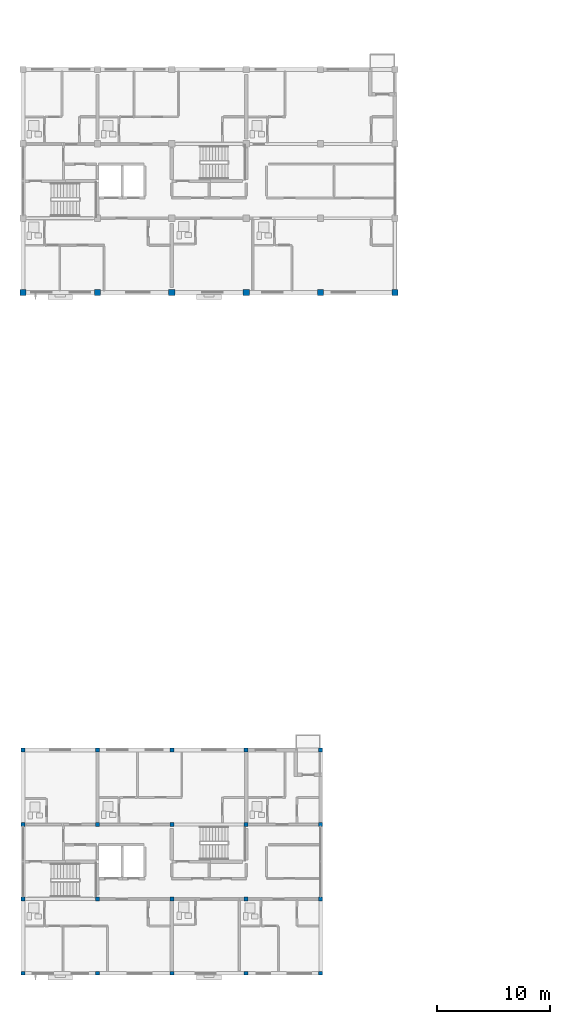
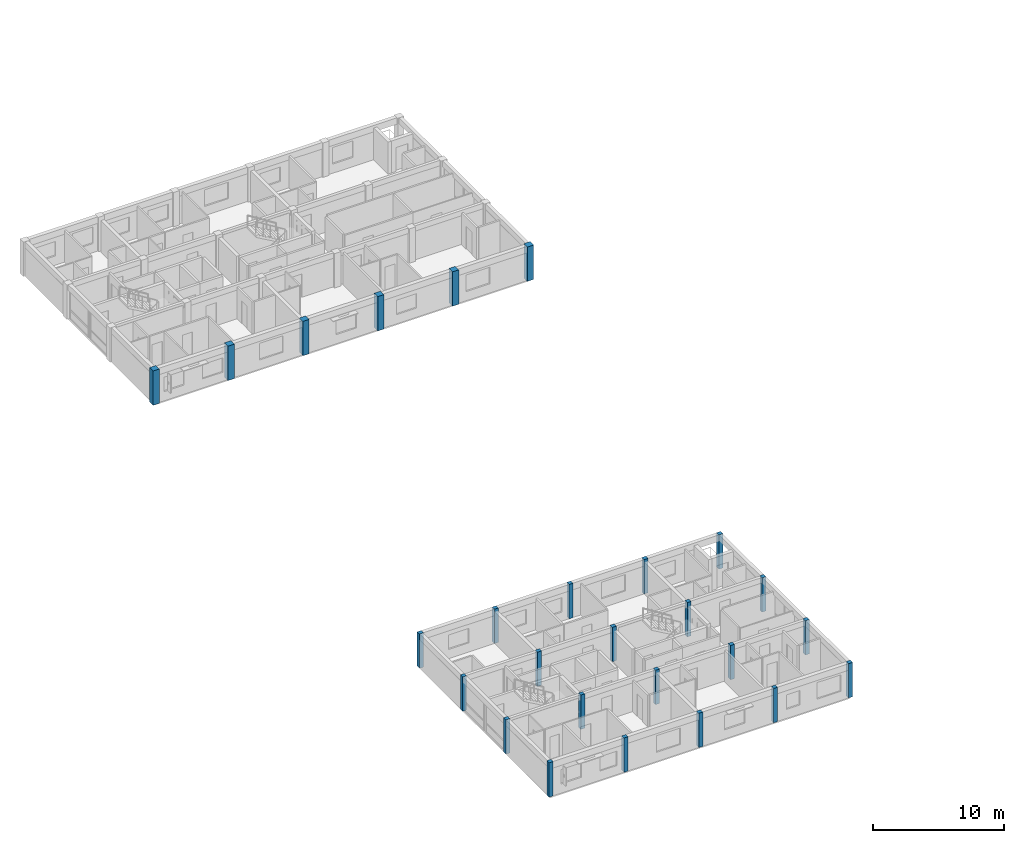
# One storey, part 1 of 53: 26 columns.
"""IFC4 building model written with IfcOpenShell, lengths in metres."""

from ifc_helpers import new_model, si_unit, direction, frame, origin, origin_2d, place, context, subcontext, project, spatial, rectangle, extrude, material, material_profile, profile_set, type_object, element, save


model = new_model("IFC4")

# Units and contexts
model_context = context("Model", 3, precision=1e-05, world=origin(), true_north=direction((0.0, 1.0)))
body_context = subcontext(model_context, "Body", "Model", "MODEL_VIEW")
ifc_project = project(units=[si_unit("LENGTHUNIT", "METRE"), si_unit("AREAUNIT", "SQUARE_METRE"), si_unit("VOLUMEUNIT", "CUBIC_METRE"), si_unit("PLANEANGLEUNIT", "RADIAN"), si_unit("MASSUNIT", "GRAM", prefix="KILO")], contexts=[model_context])

# Site, building, storey
site_placement = place(None, origin())
site = spatial("IfcSite", under=ifc_project, at=site_placement, CompositionType="ELEMENT")
building_placement = place(site_placement, origin())
building = spatial("IfcBuilding", under=site, at=building_placement, Name="Kernevlak Ridge Housing Community", CompositionType="ELEMENT")
storey_placement = place(building_placement, frame((0.0, 0.0, 24.39990234375)))
storey = spatial("IfcBuildingStorey", under=building, at=storey_placement, Name="L07", CompositionType="ELEMENT", Elevation=24.39990234375)

# Columns
ifc_material_1 = material(Name="Concrete C40/50", Category="concrete")
ifc_material_profile_1 = material_profile(ifc_material_1, rectangle(XDim=0.550048828125, YDim=0.550048828125, at=origin_2d()), Name="RC 550x550")
ifc_profile_set_1 = profile_set([ifc_material_profile_1], Name="Concrete C40/50")
column_type_1 = type_object("IfcColumnType", Name="C-02", PredefinedType="COLUMN", material=ifc_profile_set_1)
for number, where, z_axis, x_axis, name in (
    (1, (15.60009765625, 76.0, 0.0), (0.0, 0.0, 1.0), (1.0, 0.0, 0.0), "Column C-02 COL-A-L07-00-0"),
    (2, (22.199951171875, 76.0, 0.0), (0.0, 0.0, 1.0), (1.0, 0.0, 0.0), "Column C-02 COL-A-L07-01-0"),
    (3, (28.800048828125, 76.0, 0.0), (0.0, 0.0, 1.0), (1.0, 0.0, 0.0), "Column C-02 COL-A-L07-02-0"),
    (4, (35.39990234375, 76.0, 0.0), (0.0, 0.0, 1.0), (1.0, 0.0, 0.0), "Column C-02 COL-A-L07-03-0"),
    (5, (42.0, 76.0, 0.0), (0.0, 0.0, 1.0), (1.0, 0.0, 0.0), "Column C-02 COL-A-L07-04-0"),
    (6, (48.60009765625, 76.0, 0.0), (0.0, 0.0, 1.0), (1.0, 0.0, 0.0), "Column C-02 COL-A-L07-05-0"),
):
    element("IfcColumn", number, at=place(storey_placement, frame(where, z_axis=z_axis, x_axis=x_axis)), inside=storey, type_object=column_type_1, Name=name, PredefinedType="COLUMN", context=body_context, shape_type="SweptSolid", body=[
        extrude(rectangle(XDim=0.550048828125, YDim=0.550048828125, at=origin_2d()), origin(), (0.0, 0.0, 1.0), 3.2001953125),
    ])
ifc_material_2 = material(Name="Concrete C35/45", Category="concrete")
ifc_material_profile_2 = material_profile(ifc_material_2, rectangle(XDim=0.35009765625, YDim=0.35009765625, at=origin_2d()), Name="RC 350x350")
ifc_profile_set_2 = profile_set([ifc_material_profile_2], Name="Concrete C35/45")
column_type_2 = type_object("IfcColumnType", Name="C-06", PredefinedType="COLUMN", material=ifc_profile_set_2)
for number, where, z_axis, x_axis, name in (
    (7, (15.60009765625, 15.60009765625, 0.0), (0.0, 0.0, 1.0), (1.0, 0.0, 0.0), "Column C-06 COL-D-L07-00-0"),
    (8, (15.60009765625, 22.199951171875, 0.0), (0.0, 0.0, 1.0), (1.0, 0.0, 0.0), "Column C-06 COL-D-L07-00-1"),
    (9, (15.60009765625, 28.800048828125, 0.0), (0.0, 0.0, 1.0), (1.0, 0.0, 0.0), "Column C-06 COL-D-L07-00-2"),
    (10, (15.60009765625, 35.39990234375, 0.0), (0.0, 0.0, 1.0), (1.0, 0.0, 0.0), "Column C-06 COL-D-L07-00-3"),
    (11, (22.199951171875, 15.60009765625, 0.0), (0.0, 0.0, 1.0), (1.0, 0.0, 0.0), "Column C-06 COL-D-L07-01-0"),
    (12, (22.199951171875, 22.199951171875, 0.0), (0.0, 0.0, 1.0), (1.0, 0.0, 0.0), "Column C-06 COL-D-L07-01-1"),
    (13, (22.199951171875, 28.800048828125, 0.0), (0.0, 0.0, 1.0), (1.0, 0.0, 0.0), "Column C-06 COL-D-L07-01-2"),
    (14, (22.199951171875, 35.39990234375, 0.0), (0.0, 0.0, 1.0), (1.0, 0.0, 0.0), "Column C-06 COL-D-L07-01-3"),
    (15, (28.800048828125, 15.60009765625, 0.0), (0.0, 0.0, 1.0), (1.0, 0.0, 0.0), "Column C-06 COL-D-L07-02-0"),
    (16, (28.800048828125, 22.199951171875, 0.0), (0.0, 0.0, 1.0), (1.0, 0.0, 0.0), "Column C-06 COL-D-L07-02-1"),
    (17, (28.800048828125, 28.800048828125, 0.0), (0.0, 0.0, 1.0), (1.0, 0.0, 0.0), "Column C-06 COL-D-L07-02-2"),
    (18, (28.800048828125, 35.39990234375, 0.0), (0.0, 0.0, 1.0), (1.0, 0.0, 0.0), "Column C-06 COL-D-L07-02-3"),
    (19, (35.39990234375, 15.60009765625, 0.0), (0.0, 0.0, 1.0), (1.0, 0.0, 0.0), "Column C-06 COL-D-L07-03-0"),
    (20, (35.39990234375, 22.199951171875, 0.0), (0.0, 0.0, 1.0), (1.0, 0.0, 0.0), "Column C-06 COL-D-L07-03-1"),
    (21, (35.39990234375, 28.800048828125, 0.0), (0.0, 0.0, 1.0), (1.0, 0.0, 0.0), "Column C-06 COL-D-L07-03-2"),
    (22, (35.39990234375, 35.39990234375, 0.0), (0.0, 0.0, 1.0), (1.0, 0.0, 0.0), "Column C-06 COL-D-L07-03-3"),
    (23, (42.0, 15.60009765625, 0.0), (0.0, 0.0, 1.0), (1.0, 0.0, 0.0), "Column C-06 COL-D-L07-04-0"),
    (24, (42.0, 22.199951171875, 0.0), (0.0, 0.0, 1.0), (1.0, 0.0, 0.0), "Column C-06 COL-D-L07-04-1"),
    (25, (42.0, 28.800048828125, 0.0), (0.0, 0.0, 1.0), (1.0, 0.0, 0.0), "Column C-06 COL-D-L07-04-2"),
    (26, (42.0, 35.39990234375, 0.0), (0.0, 0.0, 1.0), (1.0, 0.0, 0.0), "Column C-06 COL-D-L07-04-3"),
):
    element("IfcColumn", number, at=place(storey_placement, frame(where, z_axis=z_axis, x_axis=x_axis)), inside=storey, type_object=column_type_2, Name=name, PredefinedType="COLUMN", context=body_context, shape_type="SweptSolid", body=[
        extrude(rectangle(XDim=0.35009765625, YDim=0.35009765625, at=origin_2d()), origin(), (0.0, 0.0, 1.0), 3.2001953125),
    ])

save(model, "model.ifc")
